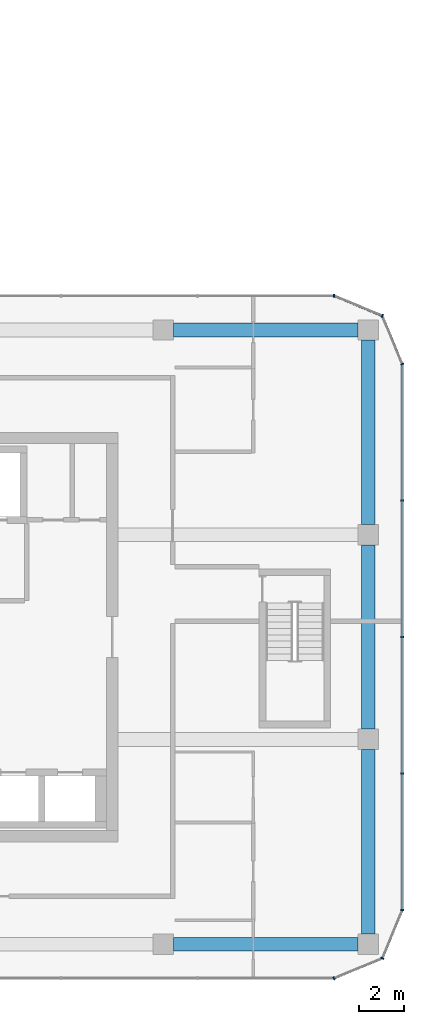
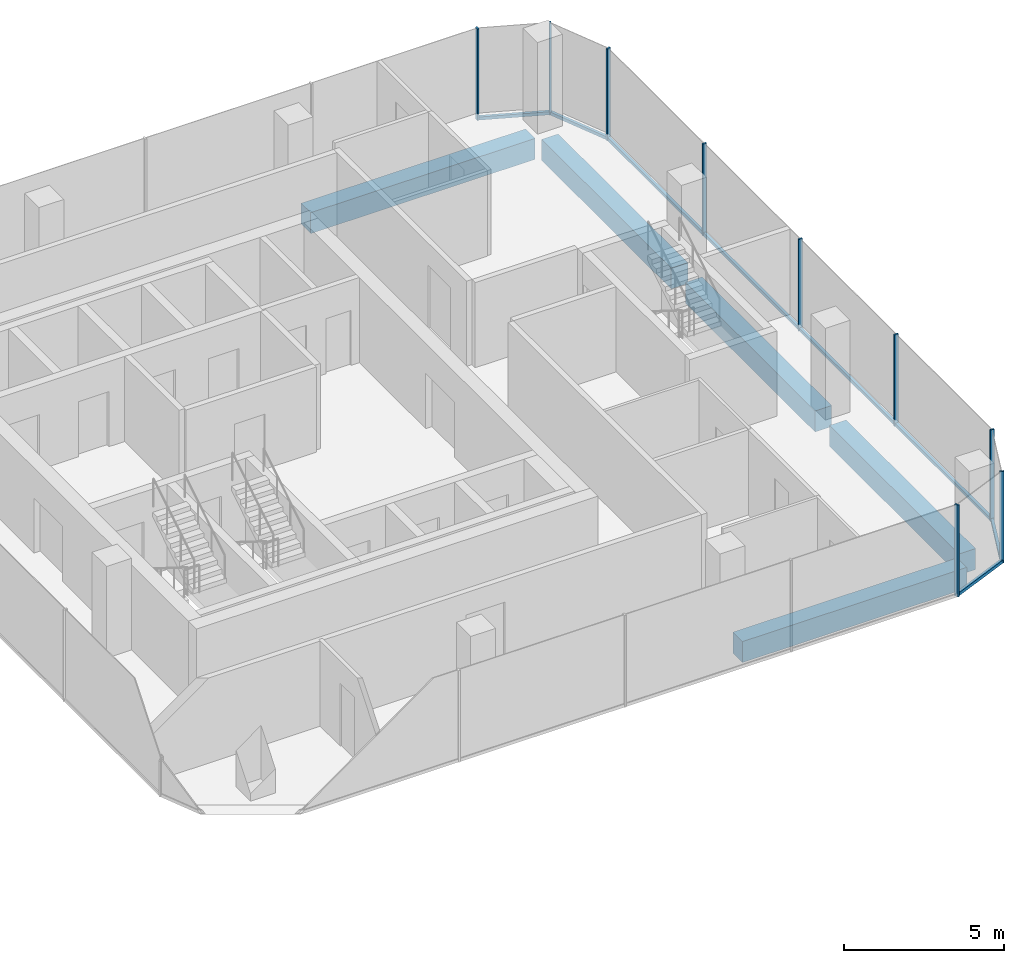
# One storey, part 10 of 22: 14 members, 5 beams, 6 elements without a shape of their own.
"""IFC4 building model written with IfcOpenShell, lengths in metres."""

import ifcopenshell
import ifcopenshell.guid

model = None  # the IFC model being written
_history = None  # IfcOwnerHistory: only IFC2X3 demands one
_inside = {}  # id of a spatial element -> (the spatial element, [elements in it])
_under = {}  # id of a project, library or spatial element -> (it, [spatial elements below it])
_declared = {}  # id of a project -> (the project, [libraries it declares])
_typed = {}  # id of a type object -> (the type object, [elements of that type])
_made_of = {}  # id of a material, layer set ... -> (it, [elements and type objects made of it])


def new_model(schema):
    """Start an empty IFC model of exactly this schema.

    Asked for "IFC4X3", IfcOpenShell would pick the latest addendum, in which some entities
    have other attributes; the version numbers below select the first issue.
    IFC2X3 requires an IfcOwnerHistory on every rooted entity: one is made here for all.
    """
    global model, _history
    if schema == "IFC4X3":
        model = ifcopenshell.file(schema_version=(4, 3, 0, 0))
    else:
        model = ifcopenshell.file(schema=schema)
    _inside.clear()
    _under.clear()
    _declared.clear()
    _typed.clear()
    _made_of.clear()
    _history = None
    if model.schema == "IFC2X3":
        org = make("IfcOrganization", Name="unknown")
        user = make(
            "IfcPersonAndOrganization",
            ThePerson=make("IfcPerson", FamilyName="unknown"),
            TheOrganization=org,
        )
        app = make(
            "IfcApplication",
            ApplicationDeveloper=org,
            Version="unknown",
            ApplicationFullName="unknown",
            ApplicationIdentifier="unknown",
        )
        _history = make(
            "IfcOwnerHistory",
            OwningUser=user,
            OwningApplication=app,
            ChangeAction="ADDED",
            CreationDate=0,
        )
    return model


def make(cls, **values):
    """One entity of the class cls with the attributes given. An attribute that is None is left unset."""
    return model.create_entity(
        cls, **{name: value for name, value in values.items() if value is not None}
    )


def rooted(cls, **values):
    """An entity with a GlobalId (a new one), such as an element, a storey or a relation."""
    return make(cls, GlobalId=ifcopenshell.guid.new(), OwnerHistory=_history, **values)


def si_unit(unit_type, name, prefix=None):
    """IfcSIUnit, for example si_unit("LENGTHUNIT", "METRE", prefix="MILLI")."""
    return make("IfcSIUnit", UnitType=unit_type, Prefix=prefix, Name=name)


def assignment(units):
    """IfcUnitAssignment: the units of a project."""
    return None if units is None else make("IfcUnitAssignment", Units=units)


def point(xyz):
    """IfcCartesianPoint."""
    return None if xyz is None else make("IfcCartesianPoint", Coordinates=xyz)


def direction(xyz):
    """IfcDirection."""
    return None if xyz is None else make("IfcDirection", DirectionRatios=xyz)


def frame(location, z_axis=None, x_axis=None):
    """IfcAxis2Placement3D, a coordinate frame: its origin and axes. An axis left out is left unset."""
    return make(
        "IfcAxis2Placement3D",
        Location=point(location),
        Axis=direction(z_axis),
        RefDirection=direction(x_axis),
    )


def frame_2d(location, x_axis=None):
    """IfcAxis2Placement2D, a coordinate frame in the plane: its origin and x axis."""
    return make(
        "IfcAxis2Placement2D", Location=point(location), RefDirection=direction(x_axis)
    )


def origin():
    """The frame at (0, 0, 0) with its axes left unset."""
    return frame((0.0, 0.0, 0.0))


def origin_2d():
    """The frame at (0, 0) in the plane with its x axis left unset."""
    return frame_2d((0.0, 0.0))


def place(relative_to, where):
    """IfcLocalPlacement: puts the frame where relative to a parent placement (None: the world)."""
    return make(
        "IfcLocalPlacement", PlacementRelTo=relative_to, RelativePlacement=where
    )


def context(
    kind, dimensions, precision=None, world=None, true_north=None, identifier=None
):
    """IfcGeometricRepresentationContext, for example the 3D "Model" context."""
    return make(
        "IfcGeometricRepresentationContext",
        ContextIdentifier=identifier,
        ContextType=kind,
        CoordinateSpaceDimension=dimensions,
        Precision=precision,
        WorldCoordinateSystem=world,
        TrueNorth=true_north,
    )


def subcontext(parent, identifier, kind, view, scale=None):
    """IfcGeometricRepresentationSubContext, for example "Body" below "Model"."""
    return make(
        "IfcGeometricRepresentationSubContext",
        ContextIdentifier=identifier,
        ContextType=kind,
        ParentContext=parent,
        TargetScale=scale,
        TargetView=view,
    )


def project(units=None, contexts=None):
    """IfcProject with its units and contexts."""
    return rooted(
        "IfcProject",
        Name="project",
        RepresentationContexts=contexts,
        UnitsInContext=assignment(units),
    )


def spatial(cls, under=None, at=None, **own):
    """A site, building, storey or space (cls), placed at a placement, below another one or the project."""
    s = rooted(cls, ObjectPlacement=at, **own)
    if under is not None:
        _under.setdefault(under.id(), (under, []))[1].append(s)
    return s


def profile(cls, at=None, kind="AREA", **sizes):
    """A parametric profile (cls). Its sizes go by their IFC names, for example OverallWidth=200.0."""
    return make(cls, ProfileType=kind, Position=at, **sizes)


def rectangle(**sizes):
    """IfcRectangleProfileDef."""
    return profile("IfcRectangleProfileDef", **sizes)


def extrude(swept, where, along, depth):
    """IfcExtrudedAreaSolid: the profile swept, set in the frame where, extruded along a direction by depth."""
    return make(
        "IfcExtrudedAreaSolid",
        SweptArea=swept,
        Position=where,
        ExtrudedDirection=direction(along),
        Depth=depth,
    )


def shape(context_of_items, identifier, shape_type, items):
    """IfcShapeRepresentation: the items that make up one representation, for example the "Body"."""
    return make(
        "IfcShapeRepresentation",
        ContextOfItems=context_of_items,
        RepresentationIdentifier=identifier,
        RepresentationType=shape_type,
        Items=items,
    )


def material(Name=None, Category=None):
    """IfcMaterial."""
    return make("IfcMaterial", Name=Name, Category=Category)


def layer(
    of_material, thickness, ventilated=None, Name=None, Category=None, Priority=None
):
    """IfcMaterialLayer: one layer of a wall or slab, of a material (None: an air gap)."""
    return make(
        "IfcMaterialLayer",
        Material=of_material,
        LayerThickness=thickness,
        IsVentilated=ventilated,
        Name=Name,
        Category=Category,
        Priority=Priority,
    )


def layer_set(layers, Name=None):
    """IfcMaterialLayerSet."""
    return make("IfcMaterialLayerSet", MaterialLayers=layers, LayerSetName=Name)


def material_profile(
    of_material, cross_section, Name=None, Category=None, Priority=None
):
    """IfcMaterialProfile: a cross section and its material."""
    return make(
        "IfcMaterialProfile",
        Name=Name,
        Material=of_material,
        Profile=cross_section,
        Priority=Priority,
        Category=Category,
    )


def profile_set(profiles, Name=None, composite=None):
    """IfcMaterialProfileSet."""
    return make(
        "IfcMaterialProfileSet",
        Name=Name,
        MaterialProfiles=profiles,
        CompositeProfile=composite,
    )


def made_of(thing, what):
    """Note that an element or type object is made of a material, layer set ...; save() writes the relation."""
    if what is not None:
        _made_of.setdefault(what.id(), (what, []))[1].append(thing)
    return thing


def type_object(cls, material=None, **own):
    """A type object (cls), such as IfcWallType, which elements share."""
    return made_of(rooted(cls, **own), material)


def element(
    cls,
    number,
    at=None,
    inside=None,
    cuts=None,
    type_object=None,
    material=None,
    context=None,
    identifier="Body",
    shape_type=None,
    held_by="IfcProductDefinitionShape",
    body=None,
    shapes=None,
    **own,
):
    """One element of the class cls, such as IfcWall. Its Tag is "e" and its number.

    at: its placement. inside: the storey or other place that contains it. cuts: it is an
    opening in that element (IfcRelVoidsElement). A single representation is given by context,
    identifier, shape_type and body (its items); several are given by shapes. held_by: the class
    of the entity that holds the representations. save() writes the other relations.
    """
    e = rooted(cls, Tag="e%d" % number, ObjectPlacement=at, **own)
    if body is not None:
        shapes = [shape(context, identifier, shape_type, body)]
    if shapes is not None:
        e.Representation = make(held_by, Representations=shapes)
    if inside is not None:
        _inside.setdefault(inside.id(), (inside, []))[1].append(e)
    if cuts is not None:
        rooted(
            "IfcRelVoidsElement", RelatingBuildingElement=cuts, RelatedOpeningElement=e
        )
    if type_object is not None:
        _typed.setdefault(type_object.id(), (type_object, []))[1].append(e)
    return made_of(e, material)


def aggregate(whole, parts):
    """IfcRelAggregates: a whole, such as a stair, and the parts it consists of."""
    return rooted("IfcRelAggregates", RelatingObject=whole, RelatedObjects=parts)


def save(model, path):
    """Write the relations noted so far, then the file.

    IfcRelAggregates (storeys below a building ...), IfcRelContainedInSpatialStructure (elements
    in a storey), IfcRelDefinesByType, IfcRelAssociatesMaterial and IfcRelDeclares: one each for
    every whole, place, type object, material and project.
    """
    for whole, parts in _under.values():
        aggregate(whole, parts)
    for where, things in _inside.values():
        rooted(
            "IfcRelContainedInSpatialStructure",
            RelatedElements=things,
            RelatingStructure=where,
        )
    for kind, things in _typed.values():
        rooted("IfcRelDefinesByType", RelatedObjects=things, RelatingType=kind)
    for what, things in _made_of.values():
        rooted("IfcRelAssociatesMaterial", RelatedObjects=things, RelatingMaterial=what)
    for by, libraries in _declared.values():
        rooted("IfcRelDeclares", RelatingContext=by, RelatedDefinitions=libraries)
    model.write(path)


model = new_model("IFC4")

# Units and contexts
model_context = context("Model", 3, precision=1e-05, world=origin(), true_north=direction((0.0, 1.0)))
body_context = subcontext(model_context, "Body", "Model", "MODEL_VIEW")
ifc_project = project(units=[si_unit("LENGTHUNIT", "METRE"), si_unit("AREAUNIT", "SQUARE_METRE"), si_unit("VOLUMEUNIT", "CUBIC_METRE"), si_unit("PLANEANGLEUNIT", "RADIAN"), si_unit("MASSUNIT", "GRAM", prefix="KILO")], contexts=[model_context])

# Site, building, storey
site_placement = place(None, origin())
site = spatial("IfcSite", under=ifc_project, at=site_placement, CompositionType="ELEMENT")
building_placement = place(site_placement, origin())
building = spatial("IfcBuilding", under=site, at=building_placement, Name="Plateau Cross Towers", CompositionType="ELEMENT")
storey_placement = place(building_placement, frame((0.0, 0.0, 58.300048828125)))
storey = spatial("IfcBuildingStorey", under=building, at=storey_placement, Name="L14", CompositionType="ELEMENT", Elevation=58.300048828125)

# Curtain wall, member
ifc_material_1 = material(Name="Dark low-iron glass", Category="glass")
ifc_layer = layer(ifc_material_1, 0.239990234375)
ifc_layer_set = layer_set([ifc_layer], Name="Dark low-iron glass")
curtain_wall_type = type_object("IfcCurtainWallType", Name="Curtain wall office unitised CW-F", PredefinedType="NOTDEFINED", material=ifc_layer_set)
curtain_wall_1_placement = place(storey_placement, origin())
curtain_wall_1 = element("IfcCurtainWall", 1, at=curtain_wall_1_placement, inside=storey, type_object=curtain_wall_type, Name="ENV/B/L14/B990_-60", PredefinedType="NOTDEFINED")
ifc_material_2 = material(Name="Black anodised aluminium", Category="aluminium")
ifc_material_profile_1 = material_profile(ifc_material_2, rectangle(XDim=0.06005859375, YDim=0.139892578125, at=origin_2d()), Name="MULLION 60x140")
ifc_profile_set_1 = profile_set([ifc_material_profile_1], Name="Black anodised aluminium")
member_type_1 = type_object("IfcMemberType", Name="Mullion 60x140 office unitised", PredefinedType="MULLION", material=ifc_profile_set_1)
member_1_placement = place(storey_placement, frame((99.0, -6.0, -0.25), z_axis=(0.0, 0.0, 1.0), x_axis=(0.923879457699, 0.382683612978, 0.0)))
member_1 = element("IfcMember", 2, at=member_1_placement, type_object=member_type_1, Name="CW-F mullion 1", PredefinedType="MULLION", context=body_context, shape_type="SweptSolid", body=[
    extrude(rectangle(XDim=0.06005859375, YDim=0.139892578125, at=origin_2d()), origin(), (0.0, 0.0, 1.0), 3.5),
])

curtain_wall_2_placement = place(storey_placement, origin())
curtain_wall_2 = element("IfcCurtainWall", 3, at=curtain_wall_2_placement, inside=storey, type_object=curtain_wall_type, Name="ENV/B/L14/B1011_-51", PredefinedType="NOTDEFINED")
member_2_placement = place(storey_placement, frame((101.121337890625, -5.121337890625, -0.25), z_axis=(0.0, 0.0, 1.0), x_axis=(0.382683612978, 0.923879457699, 0.0)))
member_2 = element("IfcMember", 4, at=member_2_placement, type_object=member_type_1, Name="CW-F mullion 1", PredefinedType="MULLION", context=body_context, shape_type="SweptSolid", body=[
    extrude(rectangle(XDim=0.06005859375, YDim=0.139892578125, at=origin_2d()), origin(), (0.0, 0.0, 1.0), 3.5),
])

# Curtain wall, members
curtain_wall_3_placement = place(storey_placement, origin())
curtain_wall_3 = element("IfcCurtainWall", 5, at=curtain_wall_3_placement, inside=storey, type_object=curtain_wall_type, Name="ENV/B/L14/B1020_-30", PredefinedType="NOTDEFINED")
member_3_placement = place(storey_placement, frame((102.0, -3.0, -0.25), z_axis=(0.0, 0.0, 1.0), x_axis=(0.0, 1.0, 0.0)))
member_3 = element("IfcMember", 6, at=member_3_placement, type_object=member_type_1, Name="CW-F mullion 1", PredefinedType="MULLION", context=body_context, shape_type="SweptSolid", body=[
    extrude(rectangle(XDim=0.06005859375, YDim=0.139892578125, at=origin_2d()), origin(), (0.0, 0.0, 1.0), 3.5),
])
member_4_placement = place(storey_placement, frame((102.0, 3.0, -0.25), z_axis=(0.0, 0.0, 1.0), x_axis=(0.0, 1.0, 0.0)))
member_4 = element("IfcMember", 7, at=member_4_placement, type_object=member_type_1, Name="CW-F mullion 2", PredefinedType="MULLION", context=body_context, shape_type="SweptSolid", body=[
    extrude(rectangle(XDim=0.06005859375, YDim=0.139892578125, at=origin_2d()), origin(), (0.0, 0.0, 1.0), 3.5),
])
member_5_placement = place(storey_placement, frame((102.0, 9.0, -0.25), z_axis=(0.0, 0.0, 1.0), x_axis=(0.0, 1.0, 0.0)))
member_5 = element("IfcMember", 8, at=member_5_placement, type_object=member_type_1, Name="CW-F mullion 3", PredefinedType="MULLION", context=body_context, shape_type="SweptSolid", body=[
    extrude(rectangle(XDim=0.06005859375, YDim=0.139892578125, at=origin_2d()), origin(), (0.0, 0.0, 1.0), 3.5),
])
member_6_placement = place(storey_placement, frame((102.0, 15.0, -0.25), z_axis=(0.0, 0.0, 1.0), x_axis=(0.0, 1.0, 0.0)))
member_6 = element("IfcMember", 9, at=member_6_placement, type_object=member_type_1, Name="CW-F mullion 4", PredefinedType="MULLION", context=body_context, shape_type="SweptSolid", body=[
    extrude(rectangle(XDim=0.06005859375, YDim=0.139892578125, at=origin_2d()), origin(), (0.0, 0.0, 1.0), 3.5),
])

# Curtain wall, member
curtain_wall_4_placement = place(storey_placement, origin())
curtain_wall_4 = element("IfcCurtainWall", 10, at=curtain_wall_4_placement, inside=storey, type_object=curtain_wall_type, Name="ENV/B/L14/B1020_210", PredefinedType="NOTDEFINED")
member_7_placement = place(storey_placement, frame((102.0, 21.0, -0.25), z_axis=(0.0, 0.0, 1.0), x_axis=(-0.382683612978, 0.923879457699, 0.0)))
member_7 = element("IfcMember", 11, at=member_7_placement, type_object=member_type_1, Name="CW-F mullion 1", PredefinedType="MULLION", context=body_context, shape_type="SweptSolid", body=[
    extrude(rectangle(XDim=0.06005859375, YDim=0.139892578125, at=origin_2d()), origin(), (0.0, 0.0, 1.0), 3.5),
])

curtain_wall_5_placement = place(storey_placement, origin())
curtain_wall_5 = element("IfcCurtainWall", 12, at=curtain_wall_5_placement, inside=storey, type_object=curtain_wall_type, Name="ENV/B/L14/B1011_231", PredefinedType="NOTDEFINED")
member_8_placement = place(storey_placement, frame((101.121337890625, 23.121337890625, -0.25), z_axis=(0.0, 0.0, 1.0), x_axis=(-0.923879457699, 0.382683612978, 0.0)))
member_8 = element("IfcMember", 13, at=member_8_placement, type_object=member_type_1, Name="CW-F mullion 1", PredefinedType="MULLION", context=body_context, shape_type="SweptSolid", body=[
    extrude(rectangle(XDim=0.06005859375, YDim=0.139892578125, at=origin_2d()), origin(), (0.0, 0.0, 1.0), 3.5),
])

curtain_wall_6_placement = place(storey_placement, origin())
curtain_wall_6 = element("IfcCurtainWall", 14, at=curtain_wall_6_placement, inside=storey, type_object=curtain_wall_type, Name="ENV/B/L14/B990_240", PredefinedType="NOTDEFINED")
member_9_placement = place(storey_placement, frame((99.0, 24.0, -0.25), z_axis=(0.0, 0.0, 1.0), x_axis=(-1.0, 0.0, 0.0)))
member_9 = element("IfcMember", 15, at=member_9_placement, type_object=member_type_1, Name="CW-F mullion 1", PredefinedType="MULLION", context=body_context, shape_type="SweptSolid", body=[
    extrude(rectangle(XDim=0.06005859375, YDim=0.139892578125, at=origin_2d()), origin(), (0.0, 0.0, 1.0), 3.5),
])
aggregate(curtain_wall_6, [member_9])

# Beams
ifc_material_3 = material(Name="Concrete C60/75", Category="concrete")
ifc_material_profile_2 = material_profile(ifc_material_3, rectangle(XDim=0.60009765625, YDim=0.800048828125, at=origin_2d()), Name="RC 600x800")
ifc_profile_set_2 = profile_set([ifc_material_profile_2], Name="Concrete C60/75")
beam_type = type_object("IfcBeamType", Name="Ring beam RC 600x800", PredefinedType="BEAM", material=ifc_profile_set_2)
for number, where, z_axis, x_axis, name in (
    (16, (91.949951171875, -4.5, -0.650146484375), (1.0, 0.0, 0.0), (0.0, 1.0, 0.0), "B-RB02@L14"),
    (17, (100.5, -4.050048828125, -0.650146484375), (0.0, 1.0, 0.0), (-1.0, 0.0, 0.0), "B-RB03@L14"),
    (18, (100.5, 4.949951171875, -0.650146484375), (0.0, 1.0, 0.0), (-1.0, 0.0, 0.0), "B-RB04@L14"),
    (19, (100.5, 13.949951171875, -0.650146484375), (0.0, 1.0, 0.0), (-1.0, 0.0, 0.0), "B-RB05@L14"),
    (20, (100.050048828125, 22.5, -0.650146484375), (-1.0, 0.0, 0.0), (0.0, -1.0, 0.0), "B-RB06@L14"),
):
    element("IfcBeam", number, at=place(storey_placement, frame(where, z_axis=z_axis, x_axis=x_axis)), inside=storey, type_object=beam_type, Name=name, PredefinedType="BEAM", context=body_context, shape_type="SweptSolid", body=[
        extrude(rectangle(XDim=0.60009765625, YDim=0.800048828125, at=origin_2d()), origin(), (0.0, 0.0, 1.0), 8.10009765625),
    ])

# Member
ifc_material_profile_3 = material_profile(ifc_material_2, rectangle(XDim=0.10009765625, YDim=0.1201171875, at=origin_2d()), Name="TRANSOM 100x120")
ifc_profile_set_3 = profile_set([ifc_material_profile_3], Name="Black anodised aluminium")
member_type_2 = type_object("IfcMemberType", Name="Transom 100x120 office unitised", PredefinedType="USERDEFINED", material=ifc_profile_set_3)
member_10_placement = place(storey_placement, frame((99.0, -6.0, -0.18994140625), z_axis=(0.923883353507, 0.382674207535, 0.0), x_axis=(-0.382674207535, 0.923883353507, 0.0)))
member_10 = element("IfcMember", 21, at=member_10_placement, type_object=member_type_2, Name="CW-F transom", ObjectType="TRANSOM", PredefinedType="USERDEFINED", context=body_context, shape_type="SweptSolid", body=[
    extrude(rectangle(XDim=0.10009765625, YDim=0.1201171875, at=origin_2d()), origin(), (0.0, 0.0, 1.0), 2.296142578125),
])

aggregate(curtain_wall_1, [member_1, member_10])

member_11_placement = place(storey_placement, frame((101.121337890625, -5.121337890625, -0.18994140625), z_axis=(0.382674207535, 0.923883353507, 0.0), x_axis=(-0.923883353507, 0.382674207535, 0.0)))
member_11 = element("IfcMember", 22, at=member_11_placement, type_object=member_type_2, Name="CW-F transom", ObjectType="TRANSOM", PredefinedType="USERDEFINED", context=body_context, shape_type="SweptSolid", body=[
    extrude(rectangle(XDim=0.10009765625, YDim=0.1201171875, at=origin_2d()), origin(), (0.0, 0.0, 1.0), 2.296142578125),
])

aggregate(curtain_wall_2, [member_2, member_11])

member_12_placement = place(storey_placement, frame((102.0, -3.0, -0.18994140625), z_axis=(0.0, 1.0, 0.0), x_axis=(-1.0, 0.0, 0.0)))
member_12 = element("IfcMember", 23, at=member_12_placement, type_object=member_type_2, Name="CW-F transom", ObjectType="TRANSOM", PredefinedType="USERDEFINED", context=body_context, shape_type="SweptSolid", body=[
    extrude(rectangle(XDim=0.10009765625, YDim=0.1201171875, at=origin_2d()), origin(), (0.0, 0.0, 1.0), 24.0),
])

aggregate(curtain_wall_3, [member_3, member_4, member_5, member_6, member_12])

member_13_placement = place(storey_placement, frame((102.0, 21.0, -0.18994140625), z_axis=(-0.382674207535, 0.923883353507, 0.0), x_axis=(-0.923883353507, -0.382674207535, 0.0)))
member_13 = element("IfcMember", 24, at=member_13_placement, type_object=member_type_2, Name="CW-F transom", ObjectType="TRANSOM", PredefinedType="USERDEFINED", context=body_context, shape_type="SweptSolid", body=[
    extrude(rectangle(XDim=0.10009765625, YDim=0.1201171875, at=origin_2d()), origin(), (0.0, 0.0, 1.0), 2.296142578125),
])

aggregate(curtain_wall_4, [member_7, member_13])

member_14_placement = place(storey_placement, frame((101.121337890625, 23.121337890625, -0.18994140625), z_axis=(-0.923883353507, 0.382674207535, 0.0), x_axis=(-0.382674207535, -0.923883353507, 0.0)))
member_14 = element("IfcMember", 25, at=member_14_placement, type_object=member_type_2, Name="CW-F transom", ObjectType="TRANSOM", PredefinedType="USERDEFINED", context=body_context, shape_type="SweptSolid", body=[
    extrude(rectangle(XDim=0.10009765625, YDim=0.1201171875, at=origin_2d()), origin(), (0.0, 0.0, 1.0), 2.296142578125),
])

aggregate(curtain_wall_5, [member_8, member_14])

save(model, "model.ifc")
